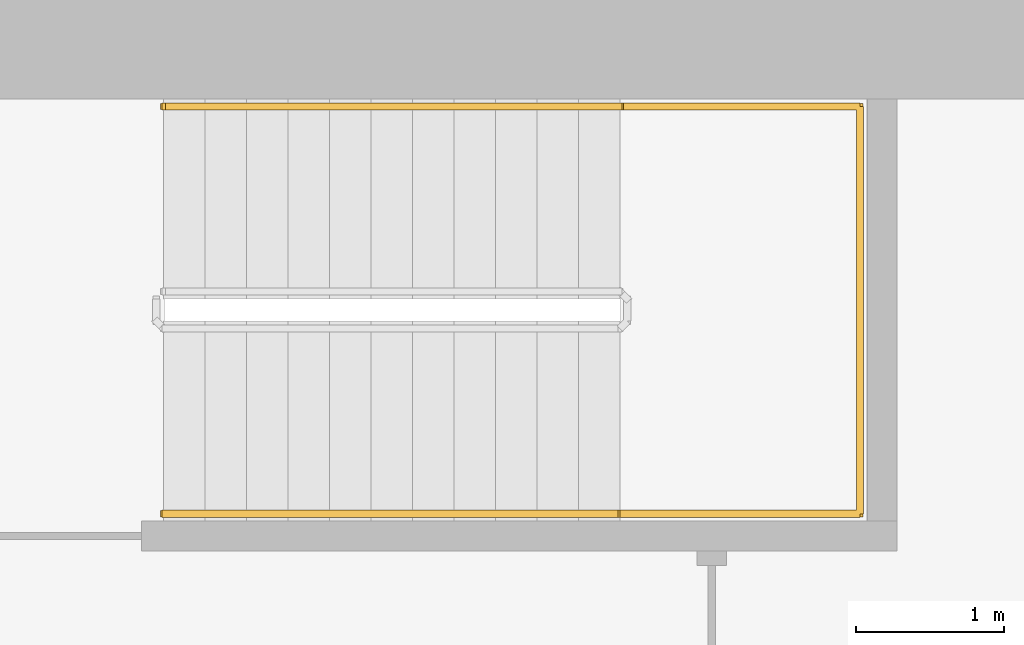
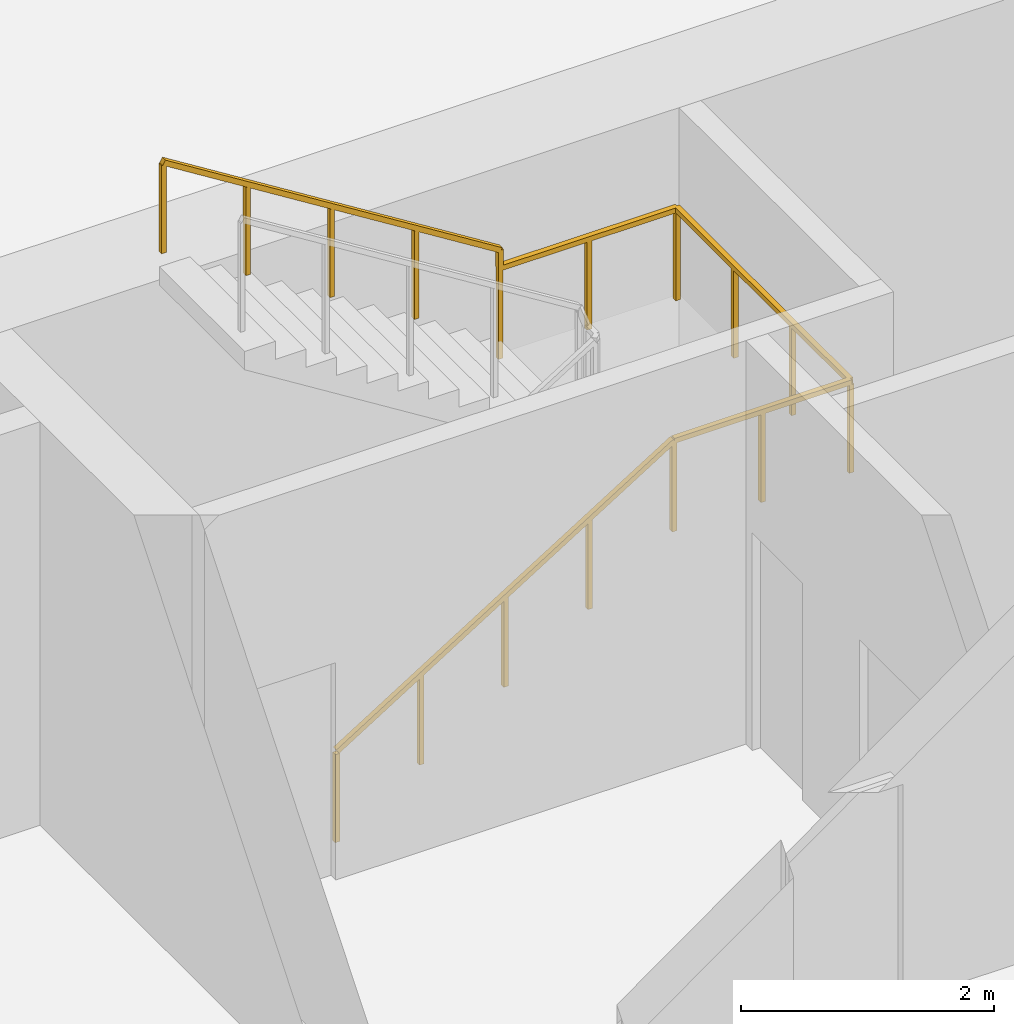
# One storey, part 8 of 8: 1 railing.
"""IFC4 building model written with IfcOpenShell, lengths in metres."""

import ifcopenshell
import ifcopenshell.guid

model = None  # the IFC model being written
_history = None  # IfcOwnerHistory: only IFC2X3 demands one
_inside = {}  # id of a spatial element -> (the spatial element, [elements in it])
_under = {}  # id of a project, library or spatial element -> (it, [spatial elements below it])
_declared = {}  # id of a project -> (the project, [libraries it declares])
_typed = {}  # id of a type object -> (the type object, [elements of that type])
_made_of = {}  # id of a material, layer set ... -> (it, [elements and type objects made of it])


def new_model(schema):
    """Start an empty IFC model of exactly this schema.

    Asked for "IFC4X3", IfcOpenShell would pick the latest addendum, in which some entities
    have other attributes; the version numbers below select the first issue.
    IFC2X3 requires an IfcOwnerHistory on every rooted entity: one is made here for all.
    """
    global model, _history
    if schema == "IFC4X3":
        model = ifcopenshell.file(schema_version=(4, 3, 0, 0))
    else:
        model = ifcopenshell.file(schema=schema)
    _inside.clear()
    _under.clear()
    _declared.clear()
    _typed.clear()
    _made_of.clear()
    _history = None
    if model.schema == "IFC2X3":
        org = make("IfcOrganization", Name="unknown")
        user = make(
            "IfcPersonAndOrganization",
            ThePerson=make("IfcPerson", FamilyName="unknown"),
            TheOrganization=org,
        )
        app = make(
            "IfcApplication",
            ApplicationDeveloper=org,
            Version="unknown",
            ApplicationFullName="unknown",
            ApplicationIdentifier="unknown",
        )
        _history = make(
            "IfcOwnerHistory",
            OwningUser=user,
            OwningApplication=app,
            ChangeAction="ADDED",
            CreationDate=0,
        )
    return model


def make(cls, **values):
    """One entity of the class cls with the attributes given. An attribute that is None is left unset."""
    return model.create_entity(
        cls, **{name: value for name, value in values.items() if value is not None}
    )


def rooted(cls, **values):
    """An entity with a GlobalId (a new one), such as an element, a storey or a relation."""
    return make(cls, GlobalId=ifcopenshell.guid.new(), OwnerHistory=_history, **values)


def si_unit(unit_type, name, prefix=None):
    """IfcSIUnit, for example si_unit("LENGTHUNIT", "METRE", prefix="MILLI")."""
    return make("IfcSIUnit", UnitType=unit_type, Prefix=prefix, Name=name)


def assignment(units):
    """IfcUnitAssignment: the units of a project."""
    return None if units is None else make("IfcUnitAssignment", Units=units)


def point(xyz):
    """IfcCartesianPoint."""
    return None if xyz is None else make("IfcCartesianPoint", Coordinates=xyz)


def direction(xyz):
    """IfcDirection."""
    return None if xyz is None else make("IfcDirection", DirectionRatios=xyz)


def frame(location, z_axis=None, x_axis=None):
    """IfcAxis2Placement3D, a coordinate frame: its origin and axes. An axis left out is left unset."""
    return make(
        "IfcAxis2Placement3D",
        Location=point(location),
        Axis=direction(z_axis),
        RefDirection=direction(x_axis),
    )


def frame_2d(location, x_axis=None):
    """IfcAxis2Placement2D, a coordinate frame in the plane: its origin and x axis."""
    return make(
        "IfcAxis2Placement2D", Location=point(location), RefDirection=direction(x_axis)
    )


def origin():
    """The frame at (0, 0, 0) with its axes left unset."""
    return frame((0.0, 0.0, 0.0))


def origin_2d():
    """The frame at (0, 0) in the plane with its x axis left unset."""
    return frame_2d((0.0, 0.0))


def place(relative_to, where):
    """IfcLocalPlacement: puts the frame where relative to a parent placement (None: the world)."""
    return make(
        "IfcLocalPlacement", PlacementRelTo=relative_to, RelativePlacement=where
    )


def context(
    kind, dimensions, precision=None, world=None, true_north=None, identifier=None
):
    """IfcGeometricRepresentationContext, for example the 3D "Model" context."""
    return make(
        "IfcGeometricRepresentationContext",
        ContextIdentifier=identifier,
        ContextType=kind,
        CoordinateSpaceDimension=dimensions,
        Precision=precision,
        WorldCoordinateSystem=world,
        TrueNorth=true_north,
    )


def subcontext(parent, identifier, kind, view, scale=None):
    """IfcGeometricRepresentationSubContext, for example "Body" below "Model"."""
    return make(
        "IfcGeometricRepresentationSubContext",
        ContextIdentifier=identifier,
        ContextType=kind,
        ParentContext=parent,
        TargetScale=scale,
        TargetView=view,
    )


def project(units=None, contexts=None):
    """IfcProject with its units and contexts."""
    return rooted(
        "IfcProject",
        Name="project",
        RepresentationContexts=contexts,
        UnitsInContext=assignment(units),
    )


def spatial(cls, under=None, at=None, **own):
    """A site, building, storey or space (cls), placed at a placement, below another one or the project."""
    s = rooted(cls, ObjectPlacement=at, **own)
    if under is not None:
        _under.setdefault(under.id(), (under, []))[1].append(s)
    return s


def profile(cls, at=None, kind="AREA", **sizes):
    """A parametric profile (cls). Its sizes go by their IFC names, for example OverallWidth=200.0."""
    return make(cls, ProfileType=kind, Position=at, **sizes)


def rectangle(**sizes):
    """IfcRectangleProfileDef."""
    return profile("IfcRectangleProfileDef", **sizes)


def extrude(swept, where, along, depth):
    """IfcExtrudedAreaSolid: the profile swept, set in the frame where, extruded along a direction by depth."""
    return make(
        "IfcExtrudedAreaSolid",
        SweptArea=swept,
        Position=where,
        ExtrudedDirection=direction(along),
        Depth=depth,
    )


def shape(context_of_items, identifier, shape_type, items):
    """IfcShapeRepresentation: the items that make up one representation, for example the "Body"."""
    return make(
        "IfcShapeRepresentation",
        ContextOfItems=context_of_items,
        RepresentationIdentifier=identifier,
        RepresentationType=shape_type,
        Items=items,
    )


def material(Name=None, Category=None):
    """IfcMaterial."""
    return make("IfcMaterial", Name=Name, Category=Category)


def made_of(thing, what):
    """Note that an element or type object is made of a material, layer set ...; save() writes the relation."""
    if what is not None:
        _made_of.setdefault(what.id(), (what, []))[1].append(thing)
    return thing


def type_object(cls, material=None, **own):
    """A type object (cls), such as IfcWallType, which elements share."""
    return made_of(rooted(cls, **own), material)


def element(
    cls,
    number,
    at=None,
    inside=None,
    cuts=None,
    type_object=None,
    material=None,
    context=None,
    identifier="Body",
    shape_type=None,
    held_by="IfcProductDefinitionShape",
    body=None,
    shapes=None,
    **own,
):
    """One element of the class cls, such as IfcWall. Its Tag is "e" and its number.

    at: its placement. inside: the storey or other place that contains it. cuts: it is an
    opening in that element (IfcRelVoidsElement). A single representation is given by context,
    identifier, shape_type and body (its items); several are given by shapes. held_by: the class
    of the entity that holds the representations. save() writes the other relations.
    """
    e = rooted(cls, Tag="e%d" % number, ObjectPlacement=at, **own)
    if body is not None:
        shapes = [shape(context, identifier, shape_type, body)]
    if shapes is not None:
        e.Representation = make(held_by, Representations=shapes)
    if inside is not None:
        _inside.setdefault(inside.id(), (inside, []))[1].append(e)
    if cuts is not None:
        rooted(
            "IfcRelVoidsElement", RelatingBuildingElement=cuts, RelatedOpeningElement=e
        )
    if type_object is not None:
        _typed.setdefault(type_object.id(), (type_object, []))[1].append(e)
    return made_of(e, material)


def aggregate(whole, parts):
    """IfcRelAggregates: a whole, such as a stair, and the parts it consists of."""
    return rooted("IfcRelAggregates", RelatingObject=whole, RelatedObjects=parts)


def save(model, path):
    """Write the relations noted so far, then the file.

    IfcRelAggregates (storeys below a building ...), IfcRelContainedInSpatialStructure (elements
    in a storey), IfcRelDefinesByType, IfcRelAssociatesMaterial and IfcRelDeclares: one each for
    every whole, place, type object, material and project.
    """
    for whole, parts in _under.values():
        aggregate(whole, parts)
    for where, things in _inside.values():
        rooted(
            "IfcRelContainedInSpatialStructure",
            RelatedElements=things,
            RelatingStructure=where,
        )
    for kind, things in _typed.values():
        rooted("IfcRelDefinesByType", RelatedObjects=things, RelatingType=kind)
    for what, things in _made_of.values():
        rooted("IfcRelAssociatesMaterial", RelatedObjects=things, RelatingMaterial=what)
    for by, libraries in _declared.values():
        rooted("IfcRelDeclares", RelatingContext=by, RelatedDefinitions=libraries)
    model.write(path)


model = new_model("IFC4")

# Units and contexts
model_context = context("Model", 3, precision=1e-05, world=origin(), true_north=direction((0.0, 1.0)))
body_context = subcontext(model_context, "Body", "Model", "MODEL_VIEW")
ifc_project = project(units=[si_unit("LENGTHUNIT", "METRE"), si_unit("AREAUNIT", "SQUARE_METRE"), si_unit("VOLUMEUNIT", "CUBIC_METRE"), si_unit("PLANEANGLEUNIT", "RADIAN"), si_unit("MASSUNIT", "GRAM", prefix="KILO")], contexts=[model_context])

# Site, building, storey
site_placement = place(None, origin())
site = spatial("IfcSite", under=ifc_project, at=site_placement, CompositionType="ELEMENT")
building_placement = place(site_placement, origin())
building = spatial("IfcBuilding", under=site, at=building_placement, Name="Perihelion Cross Residences", CompositionType="ELEMENT")
storey_placement = place(building_placement, frame((0.0, 0.0, -8.699951171875)))
storey = spatial("IfcBuildingStorey", under=building, at=storey_placement, Name="B2", CompositionType="ELEMENT", Elevation=-8.699951171875)

# Railing
ifc_material = material(Name="Stainless steel", Category="steel")
railing_type = type_object("IfcRailingType", Name="Stair handrail 900", PredefinedType="HANDRAIL", material=ifc_material)
railing_placement = place(storey_placement, frame((23.39990234375, 5.300048828125, 0.175048828125)))
element("IfcRailing", 1, at=railing_placement, inside=storey, type_object=railing_type, Name="B2 ST-E1 stair handrail 1", PredefinedType="HANDRAIL", context=body_context, shape_type="SweptSolid", body=[
    extrude(rectangle(XDim=0.048095703125, YDim=0.048095703125, at=origin_2d()), frame((0.0, 0.0, 0.8759765625), z_axis=(0.848028513186, 0.0, 0.529950602248), x_axis=(0.0, 1.0, 0.0)), (0.0, 0.0, 1.0), 3.632080078125),
    extrude(rectangle(XDim=0.048095703125, YDim=0.048095703125, at=origin_2d()), frame((3.080078125, 0.0, 2.80078125), z_axis=(1.0, 0.0, 0.0), x_axis=(0.0, 1.0, 0.0)), (0.0, 0.0, 1.0), 1.6201171875),
    extrude(rectangle(XDim=0.048095703125, YDim=0.048095703125, at=origin_2d()), frame((4.7001953125, 0.0, 2.80078125), z_axis=(0.0, 1.0, 0.0), x_axis=(-1.0, 0.0, 0.0)), (0.0, 0.0, 1.0), 2.75),
    extrude(rectangle(XDim=0.048095703125, YDim=0.048095703125, at=origin_2d()), frame((4.7001953125, 2.75, 2.80078125), z_axis=(-1.0, 0.0, 0.0), x_axis=(0.0, -1.0, 0.0)), (0.0, 0.0, 1.0), 1.6201171875),
    extrude(rectangle(XDim=0.048095703125, YDim=0.048095703125, at=origin_2d()), frame((3.080078125, 2.75, 2.80078125), z_axis=(0.0, 0.0, 1.0), x_axis=(1.0, 0.0, 0.0)), (0.0, 0.0, 1.0), 0.175048828125),
    extrude(rectangle(XDim=0.048095703125, YDim=0.048095703125, at=origin_2d()), frame((3.080078125, 2.75, 2.9755859375), z_axis=(-0.847998304005, 0.0, 0.529998940003), x_axis=(0.0, -1.0, 0.0)), (0.0, 0.0, 1.0), 3.632080078125),
    extrude(rectangle(XDim=0.0419921875, YDim=0.0419921875, at=origin_2d()), origin(), (0.0, 0.0, 1.0), 0.851806640625),
    extrude(rectangle(XDim=0.0419921875, YDim=0.0419921875, at=origin_2d()), frame((0.77001953125, 0.0, 0.481201171875)), (0.0, 0.0, 1.0), 0.851806640625),
    extrude(rectangle(XDim=0.0419921875, YDim=0.0419921875, at=origin_2d()), frame((1.5400390625, 0.0, 0.96240234375)), (0.0, 0.0, 1.0), 0.851806640625),
    extrude(rectangle(XDim=0.0419921875, YDim=0.0419921875, at=origin_2d()), frame((2.31005859375, 0.0, 1.443603515625)), (0.0, 0.0, 1.0), 0.851806640625),
    extrude(rectangle(XDim=0.0419921875, YDim=0.0419921875, at=origin_2d()), frame((3.080078125, 0.0, 1.9248046875)), (0.0, 0.0, 1.0), 0.851806640625),
    extrude(rectangle(XDim=0.0419921875, YDim=0.0419921875, at=origin_2d()), frame((3.89013671875, 0.0, 1.9248046875)), (0.0, 0.0, 1.0), 0.851806640625),
    extrude(rectangle(XDim=0.0419921875, YDim=0.0419921875, at=origin_2d()), frame((4.7001953125, 0.0, 1.9248046875)), (0.0, 0.0, 1.0), 0.851806640625),
    extrude(rectangle(XDim=0.0419921875, YDim=0.0419921875, at=origin_2d()), frame((4.7001953125, 0.916748046875, 1.9248046875)), (0.0, 0.0, 1.0), 0.851806640625),
    extrude(rectangle(XDim=0.0419921875, YDim=0.0419921875, at=origin_2d()), frame((4.7001953125, 1.833251953125, 1.9248046875)), (0.0, 0.0, 1.0), 0.851806640625),
    extrude(rectangle(XDim=0.0419921875, YDim=0.0419921875, at=origin_2d()), frame((4.7001953125, 2.75, 1.9248046875)), (0.0, 0.0, 1.0), 0.851806640625),
    extrude(rectangle(XDim=0.0419921875, YDim=0.0419921875, at=origin_2d()), frame((3.89013671875, 2.75, 1.9248046875)), (0.0, 0.0, 1.0), 0.851806640625),
    extrude(rectangle(XDim=0.0419921875, YDim=0.0419921875, at=origin_2d()), frame((3.080078125, 2.75, 1.9248046875)), (0.0, 0.0, 1.0), 0.851806640625),
    extrude(rectangle(XDim=0.0419921875, YDim=0.0419921875, at=origin_2d()), frame((3.080078125, 2.75, 2.099853515625)), (0.0, 0.0, 1.0), 0.851806640625),
    extrude(rectangle(XDim=0.0419921875, YDim=0.0419921875, at=origin_2d()), frame((2.31005859375, 2.75, 2.5810546875)), (0.0, 0.0, 1.0), 0.851806640625),
    extrude(rectangle(XDim=0.0419921875, YDim=0.0419921875, at=origin_2d()), frame((1.5400390625, 2.75, 3.0625)), (0.0, 0.0, 1.0), 0.851806640625),
    extrude(rectangle(XDim=0.0419921875, YDim=0.0419921875, at=origin_2d()), frame((0.77001953125, 2.75, 3.543701171875)), (0.0, 0.0, 1.0), 0.851806640625),
    extrude(rectangle(XDim=0.0419921875, YDim=0.0419921875, at=origin_2d()), frame((0.0, 2.75, 4.02490234375)), (0.0, 0.0, 1.0), 0.851806640625),
])

save(model, "model.ifc")
